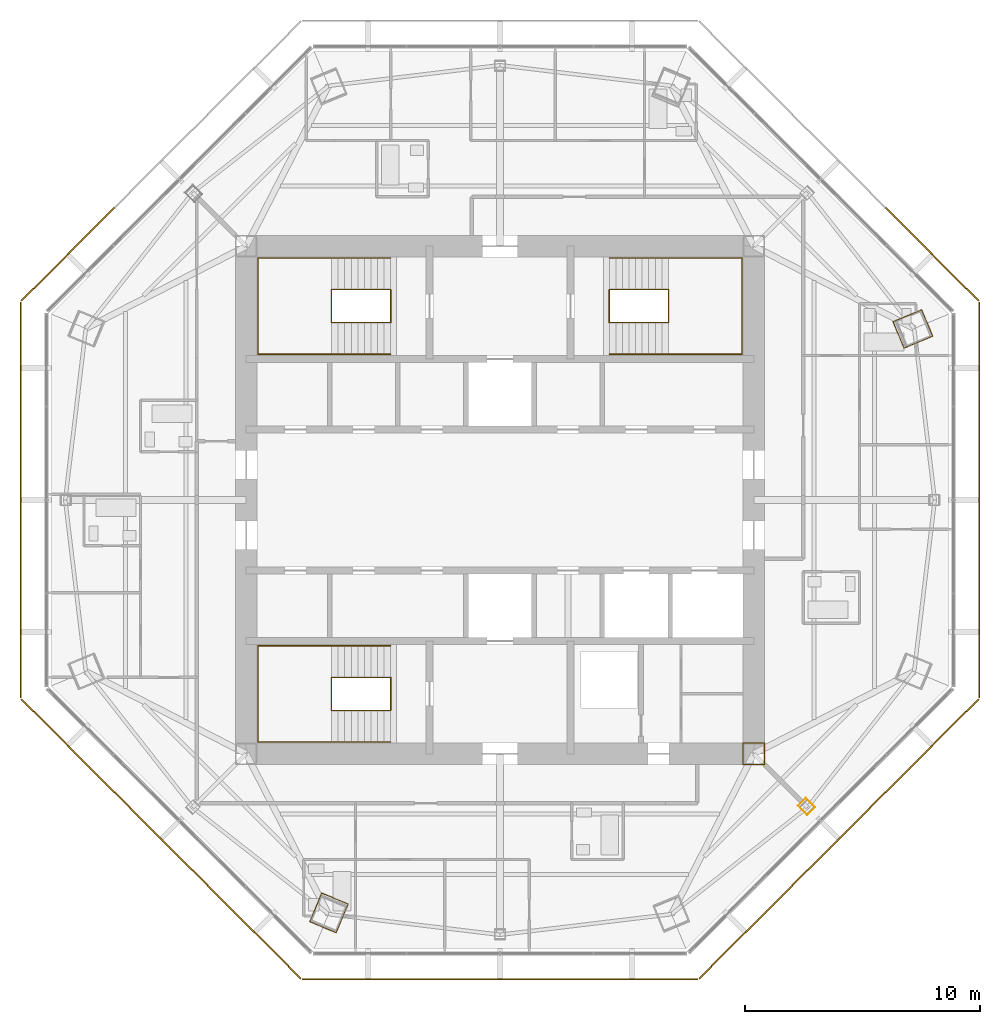
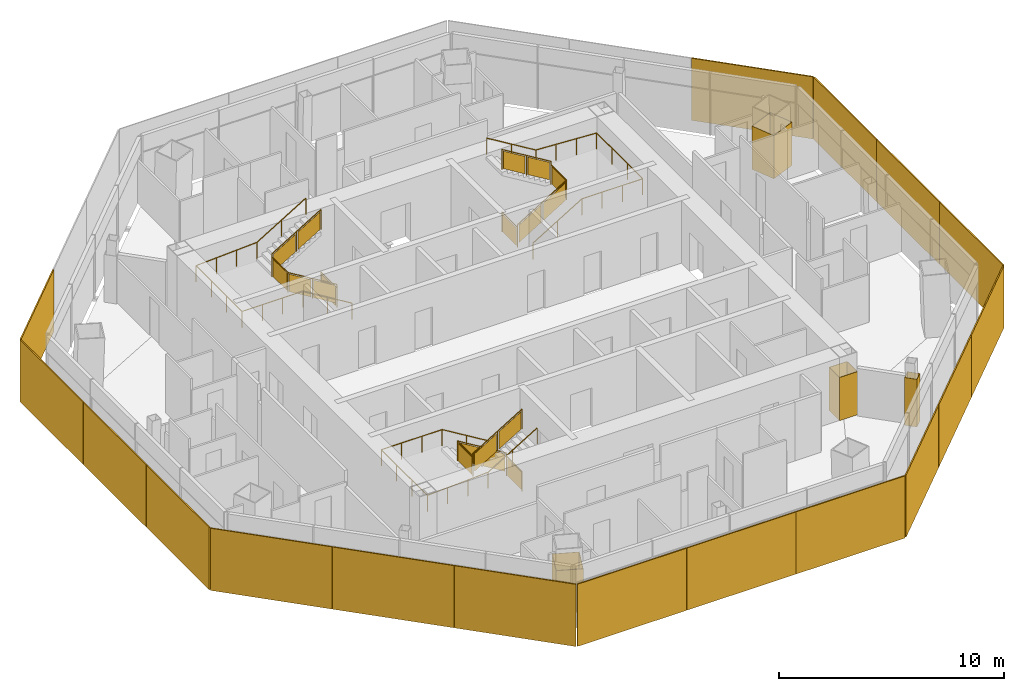
# One storey, part 13 of 15: 17 shading devices, 6 railings, 4 coverings.
"""IFC4 building model written with IfcOpenShell, lengths in metres."""

from ifc_helpers import new_model, si_unit, direction, frame, origin, origin_2d, place, context, subcontext, project, spatial, polyline, rectangle, circle, outline, extrude, source, transform, mapped, material, layer, layer_set, type_object, type_shapes, element, save


model = new_model("IFC4")

# Units and contexts
model_context = context("Model", 3, precision=1e-05, world=origin(), true_north=direction((0.0, 1.0)))
body_context = subcontext(model_context, "Body", "Model", "MODEL_VIEW")
ifc_project = project(units=[si_unit("LENGTHUNIT", "METRE"), si_unit("AREAUNIT", "SQUARE_METRE"), si_unit("VOLUMEUNIT", "CUBIC_METRE"), si_unit("PLANEANGLEUNIT", "RADIAN"), si_unit("MASSUNIT", "GRAM", prefix="KILO")], contexts=[model_context])

# Site, building, storey
site_placement = place(None, origin())
site = spatial("IfcSite", under=ifc_project, at=site_placement, CompositionType="ELEMENT")
building_placement = place(site_placement, origin())
building = spatial("IfcBuilding", under=site, at=building_placement, Name="Mashrafa Tower", CompositionType="ELEMENT")
storey_placement = place(building_placement, frame((0.0, 0.0, 308.199951171875)))
storey = spatial("IfcBuildingStorey", under=building, at=storey_placement, Name="L76", CompositionType="ELEMENT", Elevation=308.199951171875)

# Coverings
ifc_material_1 = material(Name="Gypsum board")
ifc_layer_1 = layer(ifc_material_1, 0.014892578125)
ifc_layer_set_1 = layer_set([ifc_layer_1], Name="Column casing plasterboard 15")
covering_type = type_object("IfcCoveringType", Name="Column casing plasterboard 15", PredefinedType="CLADDING", material=ifc_layer_set_1)
covering_1_placement = place(storey_placement, origin())
element("IfcCovering", 1, at=covering_1_placement, inside=storey, type_object=covering_type, Name="Column casing L76-001", PredefinedType="CLADDING", context=body_context, shape_type="SweptSolid", body=[
    extrude(outline(polyline([(16.718017578125, 7.590576171875), (17.841064453125, 8.0556640625), (17.951171875, 8.101318359375), (18.421875, 6.96484375), (17.298583984375, 6.499755859375), (17.188720703125, 6.4541015625), (16.718017578125, 7.590576171875)]), holes=[polyline([(17.29296875, 6.513671875), (18.402099609375, 6.972900390625), (17.94287109375, 8.081787109375), (17.8466796875, 8.041748046875), (16.737548828125, 7.58251953125), (17.19677734375, 6.4736328125), (17.29296875, 6.513671875)])]), origin(), (0.0, 0.0, 1.0), 2.349365234375),
])
covering_2_placement = place(storey_placement, origin())
element("IfcCovering", 2, at=covering_2_placement, inside=storey, type_object=covering_type, Name="Column casing L76-003", PredefinedType="CLADDING", context=body_context, shape_type="SweptSolid", body=[
    extrude(outline(polyline([(-8.101318359375, -17.951171875), (-8.0556640625, -17.841064453125), (-7.590576171875, -16.718017578125), (-6.4541015625, -17.188720703125), (-6.499755859375, -17.298583984375), (-6.96484375, -18.421875), (-8.101318359375, -17.951171875)]), holes=[polyline([(-6.513671875, -17.29296875), (-6.4736328125, -17.19677734375), (-7.58251953125, -16.737548828125), (-8.041748046875, -17.8466796875), (-8.081787109375, -17.94287109375), (-6.972900390625, -18.402099609375), (-6.513671875, -17.29296875)])]), origin(), (0.0, 0.0, 1.0), 2.349365234375),
])
covering_3_placement = place(storey_placement, origin())
element("IfcCovering", 3, at=covering_3_placement, inside=storey, type_object=covering_type, Name="Column casing L76-005", PredefinedType="CLADDING", context=body_context, shape_type="SweptSolid", body=[
    extrude(outline(polyline([(12.67138671875, -13.0107421875), (13.0107421875, -12.67138671875), (13.418212890625, -13.078857421875), (13.078857421875, -13.418212890625), (12.67138671875, -13.0107421875)]), holes=[polyline([(13.39697265625, -13.078857421875), (13.0107421875, -12.6923828125), (12.6923828125, -13.0107421875), (13.078857421875, -13.39697265625), (13.39697265625, -13.078857421875)])]), origin(), (0.0, 0.0, 1.0), 2.590576171875),
])
covering_4_placement = place(storey_placement, origin())
element("IfcCovering", 4, at=covering_4_placement, inside=storey, type_object=covering_type, Name="Column casing L76-006", PredefinedType="CLADDING", context=body_context, shape_type="SweptSolid", body=[
    extrude(outline(polyline([(10.3349609375, -10.3349609375), (11.264892578125, -10.3349609375), (11.264892578125, -11.264892578125), (10.3349609375, -11.264892578125), (10.3349609375, -10.3349609375)]), holes=[polyline([(11.25, -11.25), (11.25, -10.35009765625), (10.35009765625, -10.35009765625), (10.35009765625, -11.25), (11.25, -11.25)])]), origin(), (0.0, 0.0, 1.0), 2.349365234375),
])

# Railings
ifc_material_2 = material(Name="Steel guard with glass infill", Category="steel")
railing_type_1 = type_object("IfcRailingType", Name="Stair guard 1100", PredefinedType="GUARDRAIL", material=ifc_material_2)
railing_1_placement = place(storey_placement, frame((-4.64990234375, 8.949951171875, 0.0)))
element("IfcRailing", 5, at=railing_1_placement, inside=storey, type_object=railing_type_1, Name="Stair S1 guard L76", PredefinedType="GUARDRAIL", context=body_context, shape_type="SweptSolid", body=[
    extrude(circle(Radius=0.02392578125, at=origin_2d()), frame((0.0, 0.0, 1.076171875), z_axis=(0.0, -1.0, 0.0), x_axis=(1.0, 0.0, 0.0)), (0.0, 0.0, 1.0), 1.39990234375),
    extrude(circle(Radius=0.02392578125, at=origin_2d()), frame((0.0, -1.39990234375, 1.076171875), z_axis=(0.0, 0.0, 1.0), x_axis=(1.0, 0.0, 0.0)), (0.0, 0.0, 1.0), 0.170166015625),
    extrude(circle(Radius=0.02392578125, at=origin_2d()), frame((0.0, -1.39990234375, 1.24609375), z_axis=(-0.854821627497, 0.0, 0.518921945155), x_axis=(0.0, -1.0, 0.0)), (0.0, 0.0, 1.0), 2.947998046875),
    extrude(circle(Radius=0.02392578125, at=origin_2d()), frame((-2.52001953125, -1.39990234375, 2.77587890625), z_axis=(0.0, 1.0, 0.0), x_axis=(-1.0, 0.0, 0.0)), (0.0, 0.0, 1.0), 1.39990234375),
    extrude(circle(Radius=0.02392578125, at=origin_2d()), frame((-2.52001953125, 0.0, 2.77587890625), z_axis=(0.0, 0.0, 1.0), x_axis=(1.0, 0.0, 0.0)), (0.0, 0.0, 1.0), 0.170166015625),
    extrude(circle(Radius=0.02392578125, at=origin_2d()), frame((-2.52001953125, 0.0, 2.9462890625), z_axis=(0.85478489116, 0.0, 0.518982456201), x_axis=(0.0, 1.0, 0.0)), (0.0, 0.0, 1.0), 2.9482421875),
    extrude(circle(Radius=0.02099609375, at=origin_2d()), origin(), (0.0, 0.0, 1.0), 1.052001953125),
    extrude(circle(Radius=0.02099609375, at=origin_2d()), frame((0.0, -1.39990234375, 0.0)), (0.0, 0.0, 1.0), 1.052001953125),
    extrude(circle(Radius=0.02099609375, at=origin_2d()), frame((0.0, -1.39990234375, 0.170166015625)), (0.0, 0.0, 1.0), 1.052001953125),
    extrude(circle(Radius=0.02099609375, at=origin_2d()), frame((-1.260009765625, -1.39990234375, 0.93505859375)), (0.0, 0.0, 1.0), 1.052001953125),
    extrude(circle(Radius=0.02099609375, at=origin_2d()), frame((-2.52001953125, -1.39990234375, 1.699951171875)), (0.0, 0.0, 1.0), 1.052001953125),
    extrude(circle(Radius=0.02099609375, at=origin_2d()), frame((-2.52001953125, 0.0, 1.699951171875)), (0.0, 0.0, 1.0), 1.052001953125),
    extrude(circle(Radius=0.02099609375, at=origin_2d()), frame((-2.52001953125, 0.0, 1.8701171875)), (0.0, 0.0, 1.0), 1.052001953125),
    extrude(circle(Radius=0.02099609375, at=origin_2d()), frame((-1.260009765625, 0.0, 2.63525390625)), (0.0, 0.0, 1.0), 1.052001953125),
    extrude(circle(Radius=0.02099609375, at=origin_2d()), frame((0.0, 0.0, 3.400146484375)), (0.0, 0.0, 1.0), 1.052001953125),
    extrude(outline(polyline([(0.071044921875, 0.050048828125), (1.328857421875, 0.050048828125), (1.328857421875, 1.001953125), (0.071044921875, 1.001953125), (0.071044921875, 0.050048828125)])), frame((-0.006103515625, 0.0, 0.0), z_axis=(-1.0, 0.0, 0.0), x_axis=(0.0, -1.0, 0.0)), (0.0, 0.0, 1.0), 0.011962890625),
    extrude(outline(polyline([(0.071044921875, 0.093017578125), (1.18896484375, 0.771728515625), (1.18896484375, 1.723876953125), (0.071044921875, 1.045166015625), (0.071044921875, 0.093017578125)])), frame((0.0, -1.393798828125, 0.170166015625), z_axis=(0.0, 1.0, 0.0), x_axis=(-1.0, 0.0, 0.0)), (0.0, 0.0, 1.0), 0.011962890625),
    extrude(outline(polyline([(1.3310546875, 0.85791015625), (2.448974609375, 1.53662109375), (2.448974609375, 2.48876953125), (1.3310546875, 1.81005859375), (1.3310546875, 0.85791015625)])), frame((0.0, -1.393798828125, 0.170166015625), z_axis=(0.0, 1.0, 0.0), x_axis=(-1.0, 0.0, 0.0)), (0.0, 0.0, 1.0), 0.011962890625),
    extrude(outline(polyline([(0.071044921875, 0.050048828125), (1.328857421875, 0.050048828125), (1.328857421875, 1.001953125), (0.071044921875, 1.001953125), (0.071044921875, 0.050048828125)])), frame((-2.513916015625, -1.39990234375, 1.699951171875), z_axis=(1.0, 0.0, 0.0), x_axis=(0.0, 1.0, 0.0)), (0.0, 0.0, 1.0), 0.011962890625),
    extrude(outline(polyline([(0.071044921875, 0.093017578125), (1.18896484375, 0.77197265625), (1.18896484375, 1.723876953125), (0.071044921875, 1.045166015625), (0.071044921875, 0.093017578125)])), frame((-2.52001953125, -0.006103515625, 1.8701171875), z_axis=(0.0, -1.0, 0.0), x_axis=(1.0, 0.0, 0.0)), (0.0, 0.0, 1.0), 0.011962890625),
    extrude(outline(polyline([(1.3310546875, 0.858154296875), (2.448974609375, 1.536865234375), (2.448974609375, 2.489013671875), (1.3310546875, 1.81005859375), (1.3310546875, 0.858154296875)])), frame((-2.52001953125, -0.006103515625, 1.8701171875), z_axis=(0.0, -1.0, 0.0), x_axis=(1.0, 0.0, 0.0)), (0.0, 0.0, 1.0), 0.011962890625),
])
railing_2_placement = place(storey_placement, frame((4.64990234375, 8.949951171875, 0.0)))
element("IfcRailing", 6, at=railing_2_placement, inside=storey, type_object=railing_type_1, Name="Stair S2 guard L76", PredefinedType="GUARDRAIL", context=body_context, shape_type="SweptSolid", body=[
    extrude(circle(Radius=0.02392578125, at=origin_2d()), frame((0.0, 0.0, 1.076171875), z_axis=(0.0, -1.0, 0.0), x_axis=(1.0, 0.0, 0.0)), (0.0, 0.0, 1.0), 1.39990234375),
    extrude(circle(Radius=0.02392578125, at=origin_2d()), frame((0.0, -1.39990234375, 1.076171875), z_axis=(0.0, 0.0, 1.0), x_axis=(1.0, 0.0, 0.0)), (0.0, 0.0, 1.0), 0.170166015625),
    extrude(circle(Radius=0.02392578125, at=origin_2d()), frame((0.0, -1.39990234375, 1.24609375), z_axis=(0.854821627497, 0.0, 0.518921945155), x_axis=(0.0, 1.0, 0.0)), (0.0, 0.0, 1.0), 2.947998046875),
    extrude(circle(Radius=0.02392578125, at=origin_2d()), frame((2.52001953125, -1.39990234375, 2.77587890625), z_axis=(0.0, 1.0, 0.0), x_axis=(-1.0, 0.0, 0.0)), (0.0, 0.0, 1.0), 1.39990234375),
    extrude(circle(Radius=0.02392578125, at=origin_2d()), frame((2.52001953125, 0.0, 2.77587890625), z_axis=(0.0, 0.0, 1.0), x_axis=(1.0, 0.0, 0.0)), (0.0, 0.0, 1.0), 0.170166015625),
    extrude(circle(Radius=0.02392578125, at=origin_2d()), frame((2.52001953125, 0.0, 2.9462890625), z_axis=(-0.85478489116, 0.0, 0.518982456201), x_axis=(0.0, -1.0, 0.0)), (0.0, 0.0, 1.0), 2.9482421875),
    extrude(circle(Radius=0.02099609375, at=origin_2d()), origin(), (0.0, 0.0, 1.0), 1.052001953125),
    extrude(circle(Radius=0.02099609375, at=origin_2d()), frame((0.0, -1.39990234375, 0.0)), (0.0, 0.0, 1.0), 1.052001953125),
    extrude(circle(Radius=0.02099609375, at=origin_2d()), frame((0.0, -1.39990234375, 0.170166015625)), (0.0, 0.0, 1.0), 1.052001953125),
    extrude(circle(Radius=0.02099609375, at=origin_2d()), frame((1.260009765625, -1.39990234375, 0.93505859375)), (0.0, 0.0, 1.0), 1.052001953125),
    extrude(circle(Radius=0.02099609375, at=origin_2d()), frame((2.52001953125, -1.39990234375, 1.699951171875)), (0.0, 0.0, 1.0), 1.052001953125),
    extrude(circle(Radius=0.02099609375, at=origin_2d()), frame((2.52001953125, 0.0, 1.699951171875)), (0.0, 0.0, 1.0), 1.052001953125),
    extrude(circle(Radius=0.02099609375, at=origin_2d()), frame((2.52001953125, 0.0, 1.8701171875)), (0.0, 0.0, 1.0), 1.052001953125),
    extrude(circle(Radius=0.02099609375, at=origin_2d()), frame((1.260009765625, 0.0, 2.63525390625)), (0.0, 0.0, 1.0), 1.052001953125),
    extrude(circle(Radius=0.02099609375, at=origin_2d()), frame((0.0, 0.0, 3.400146484375)), (0.0, 0.0, 1.0), 1.052001953125),
    extrude(outline(polyline([(0.071044921875, 0.050048828125), (1.328857421875, 0.050048828125), (1.328857421875, 1.001953125), (0.071044921875, 1.001953125), (0.071044921875, 0.050048828125)])), frame((-0.006103515625, 0.0, 0.0), z_axis=(-1.0, 0.0, 0.0), x_axis=(0.0, -1.0, 0.0)), (0.0, 0.0, 1.0), 0.011962890625),
    extrude(outline(polyline([(0.071044921875, 0.093017578125), (1.18896484375, 0.771728515625), (1.18896484375, 1.723876953125), (0.071044921875, 1.045166015625), (0.071044921875, 0.093017578125)])), frame((0.0, -1.406005859375, 0.170166015625), z_axis=(0.0, -1.0, 0.0), x_axis=(1.0, 0.0, 0.0)), (0.0, 0.0, 1.0), 0.011962890625),
    extrude(outline(polyline([(1.3310546875, 0.85791015625), (2.448974609375, 1.53662109375), (2.448974609375, 2.48876953125), (1.3310546875, 1.81005859375), (1.3310546875, 0.85791015625)])), frame((0.0, -1.406005859375, 0.170166015625), z_axis=(0.0, -1.0, 0.0), x_axis=(1.0, 0.0, 0.0)), (0.0, 0.0, 1.0), 0.011962890625),
    extrude(outline(polyline([(0.071044921875, 0.050048828125), (1.328857421875, 0.050048828125), (1.328857421875, 1.001953125), (0.071044921875, 1.001953125), (0.071044921875, 0.050048828125)])), frame((2.526123046875, -1.39990234375, 1.699951171875), z_axis=(1.0, 0.0, 0.0), x_axis=(0.0, 1.0, 0.0)), (0.0, 0.0, 1.0), 0.011962890625),
    extrude(outline(polyline([(0.071044921875, 0.093017578125), (1.18896484375, 0.77197265625), (1.18896484375, 1.723876953125), (0.071044921875, 1.045166015625), (0.071044921875, 0.093017578125)])), frame((2.52001953125, 0.006103515625, 1.8701171875), z_axis=(0.0, 1.0, 0.0), x_axis=(-1.0, 0.0, 0.0)), (0.0, 0.0, 1.0), 0.011962890625),
    extrude(outline(polyline([(1.3310546875, 0.858154296875), (2.448974609375, 1.536865234375), (2.448974609375, 2.489013671875), (1.3310546875, 1.81005859375), (1.3310546875, 0.858154296875)])), frame((2.52001953125, 0.006103515625, 1.8701171875), z_axis=(0.0, 1.0, 0.0), x_axis=(-1.0, 0.0, 0.0)), (0.0, 0.0, 1.0), 0.011962890625),
])
railing_3_placement = place(storey_placement, frame((-4.64990234375, -8.949951171875, 0.0)))
element("IfcRailing", 7, at=railing_3_placement, inside=storey, type_object=railing_type_1, Name="Stair S3 guard L76", PredefinedType="GUARDRAIL", context=body_context, shape_type="SweptSolid", body=[
    extrude(circle(Radius=0.02392578125, at=origin_2d()), frame((0.0, 0.0, 1.076171875), z_axis=(0.0, 1.0, 0.0), x_axis=(-1.0, 0.0, 0.0)), (0.0, 0.0, 1.0), 1.39990234375),
    extrude(circle(Radius=0.02392578125, at=origin_2d()), frame((0.0, 1.39990234375, 1.076171875), z_axis=(0.0, 0.0, 1.0), x_axis=(1.0, 0.0, 0.0)), (0.0, 0.0, 1.0), 0.170166015625),
    extrude(circle(Radius=0.02392578125, at=origin_2d()), frame((0.0, 1.39990234375, 1.24609375), z_axis=(-0.854821627497, 0.0, 0.518921945155), x_axis=(0.0, -1.0, 0.0)), (0.0, 0.0, 1.0), 2.947998046875),
    extrude(circle(Radius=0.02392578125, at=origin_2d()), frame((-2.52001953125, 1.39990234375, 2.77587890625), z_axis=(0.0, -1.0, 0.0), x_axis=(1.0, 0.0, 0.0)), (0.0, 0.0, 1.0), 1.39990234375),
    extrude(circle(Radius=0.02392578125, at=origin_2d()), frame((-2.52001953125, 0.0, 2.77587890625), z_axis=(0.0, 0.0, 1.0), x_axis=(1.0, 0.0, 0.0)), (0.0, 0.0, 1.0), 0.170166015625),
    extrude(circle(Radius=0.02392578125, at=origin_2d()), frame((-2.52001953125, 0.0, 2.9462890625), z_axis=(0.85478489116, 0.0, 0.518982456201), x_axis=(0.0, 1.0, 0.0)), (0.0, 0.0, 1.0), 2.9482421875),
    extrude(circle(Radius=0.02099609375, at=origin_2d()), origin(), (0.0, 0.0, 1.0), 1.052001953125),
    extrude(circle(Radius=0.02099609375, at=origin_2d()), frame((0.0, 1.39990234375, 0.0)), (0.0, 0.0, 1.0), 1.052001953125),
    extrude(circle(Radius=0.02099609375, at=origin_2d()), frame((0.0, 1.39990234375, 0.170166015625)), (0.0, 0.0, 1.0), 1.052001953125),
    extrude(circle(Radius=0.02099609375, at=origin_2d()), frame((-1.260009765625, 1.39990234375, 0.93505859375)), (0.0, 0.0, 1.0), 1.052001953125),
    extrude(circle(Radius=0.02099609375, at=origin_2d()), frame((-2.52001953125, 1.39990234375, 1.699951171875)), (0.0, 0.0, 1.0), 1.052001953125),
    extrude(circle(Radius=0.02099609375, at=origin_2d()), frame((-2.52001953125, 0.0, 1.699951171875)), (0.0, 0.0, 1.0), 1.052001953125),
    extrude(circle(Radius=0.02099609375, at=origin_2d()), frame((-2.52001953125, 0.0, 1.8701171875)), (0.0, 0.0, 1.0), 1.052001953125),
    extrude(circle(Radius=0.02099609375, at=origin_2d()), frame((-1.260009765625, 0.0, 2.63525390625)), (0.0, 0.0, 1.0), 1.052001953125),
    extrude(circle(Radius=0.02099609375, at=origin_2d()), frame((0.0, 0.0, 3.400146484375)), (0.0, 0.0, 1.0), 1.052001953125),
    extrude(outline(polyline([(0.071044921875, 0.050048828125), (1.328857421875, 0.050048828125), (1.328857421875, 1.001953125), (0.071044921875, 1.001953125), (0.071044921875, 0.050048828125)])), frame((0.006103515625, 0.0, 0.0), z_axis=(1.0, 0.0, 0.0), x_axis=(0.0, 1.0, 0.0)), (0.0, 0.0, 1.0), 0.011962890625),
    extrude(outline(polyline([(0.071044921875, 0.093017578125), (1.18896484375, 0.771728515625), (1.18896484375, 1.723876953125), (0.071044921875, 1.045166015625), (0.071044921875, 0.093017578125)])), frame((0.0, 1.406005859375, 0.170166015625), z_axis=(0.0, 1.0, 0.0), x_axis=(-1.0, 0.0, 0.0)), (0.0, 0.0, 1.0), 0.011962890625),
    extrude(outline(polyline([(1.3310546875, 0.85791015625), (2.448974609375, 1.53662109375), (2.448974609375, 2.48876953125), (1.3310546875, 1.81005859375), (1.3310546875, 0.85791015625)])), frame((0.0, 1.406005859375, 0.170166015625), z_axis=(0.0, 1.0, 0.0), x_axis=(-1.0, 0.0, 0.0)), (0.0, 0.0, 1.0), 0.011962890625),
    extrude(outline(polyline([(0.071044921875, 0.050048828125), (1.328857421875, 0.050048828125), (1.328857421875, 1.001953125), (0.071044921875, 1.001953125), (0.071044921875, 0.050048828125)])), frame((-2.526123046875, 1.39990234375, 1.699951171875), z_axis=(-1.0, 0.0, 0.0), x_axis=(0.0, -1.0, 0.0)), (0.0, 0.0, 1.0), 0.011962890625),
    extrude(outline(polyline([(0.071044921875, 0.093017578125), (1.18896484375, 0.77197265625), (1.18896484375, 1.723876953125), (0.071044921875, 1.045166015625), (0.071044921875, 0.093017578125)])), frame((-2.52001953125, -0.006103515625, 1.8701171875), z_axis=(0.0, -1.0, 0.0), x_axis=(1.0, 0.0, 0.0)), (0.0, 0.0, 1.0), 0.011962890625),
    extrude(outline(polyline([(1.3310546875, 0.858154296875), (2.448974609375, 1.536865234375), (2.448974609375, 2.489013671875), (1.3310546875, 1.81005859375), (1.3310546875, 0.858154296875)])), frame((-2.52001953125, -0.006103515625, 1.8701171875), z_axis=(0.0, -1.0, 0.0), x_axis=(1.0, 0.0, 0.0)), (0.0, 0.0, 1.0), 0.011962890625),
])
ifc_material_3 = material(Name="Steel", Category="steel")
railing_type_2 = type_object("IfcRailingType", Name="Stair handrail 900", PredefinedType="HANDRAIL", material=ifc_material_3)
railing_4_placement = place(storey_placement, frame((-4.64990234375, 6.199951171875, 0.170166015625)))
element("IfcRailing", 8, at=railing_4_placement, inside=storey, type_object=railing_type_2, Name="Stair S1 handrail L76", PredefinedType="HANDRAIL", context=body_context, shape_type="SweptSolid", body=[
    extrude(circle(Radius=0.02392578125, at=origin_2d()), frame((0.0, 0.0, 0.8759765625), z_axis=(-0.854821627497, 0.0, 0.518921945155), x_axis=(0.0, -1.0, 0.0)), (0.0, 0.0, 1.0), 2.947998046875),
    extrude(circle(Radius=0.02392578125, at=origin_2d()), frame((-2.52001953125, 0.0, 2.40576171875), z_axis=(-1.0, 0.0, 0.0), x_axis=(0.0, -1.0, 0.0)), (0.0, 0.0, 1.0), 3.130126953125),
    extrude(circle(Radius=0.02392578125, at=origin_2d()), frame((-5.650146484375, 0.0, 2.40576171875), z_axis=(0.0, 1.0, 0.0), x_axis=(-1.0, 0.0, 0.0)), (0.0, 0.0, 1.0), 4.10009765625),
    extrude(circle(Radius=0.02392578125, at=origin_2d()), frame((-5.650146484375, 4.10009765625, 2.40576171875), z_axis=(0.998525548763, 0.0, 0.054283777201), x_axis=(0.0, 1.0, 0.0)), (0.0, 0.0, 1.0), 3.134765625),
    extrude(circle(Radius=0.02392578125, at=origin_2d()), frame((-2.52001953125, 4.10009765625, 2.57568359375), z_axis=(0.85478489116, 0.0, 0.518982456201), x_axis=(0.0, 1.0, 0.0)), (0.0, 0.0, 1.0), 2.9482421875),
    extrude(circle(Radius=0.02099609375, at=origin_2d()), origin(), (0.0, 0.0, 1.0), 0.851806640625),
    extrude(circle(Radius=0.02099609375, at=origin_2d()), frame((-1.260009765625, 0.0, 0.764892578125)), (0.0, 0.0, 1.0), 0.851806640625),
    extrude(circle(Radius=0.02099609375, at=origin_2d()), frame((-2.52001953125, 0.0, 1.52978515625)), (0.0, 0.0, 1.0), 0.851806640625),
    extrude(circle(Radius=0.02099609375, at=origin_2d()), frame((-3.5634765625, 0.0, 1.52978515625)), (0.0, 0.0, 1.0), 0.851806640625),
    extrude(circle(Radius=0.02099609375, at=origin_2d()), frame((-4.606689453125, 0.0, 1.52978515625)), (0.0, 0.0, 1.0), 0.851806640625),
    extrude(circle(Radius=0.02099609375, at=origin_2d()), frame((-5.650146484375, 0.0, 1.52978515625)), (0.0, 0.0, 1.0), 0.851806640625),
    extrude(circle(Radius=0.02099609375, at=origin_2d()), frame((-5.650146484375, 1.36669921875, 1.52978515625)), (0.0, 0.0, 1.0), 0.851806640625),
    extrude(circle(Radius=0.02099609375, at=origin_2d()), frame((-5.650146484375, 2.7333984375, 1.52978515625)), (0.0, 0.0, 1.0), 0.851806640625),
    extrude(circle(Radius=0.02099609375, at=origin_2d()), frame((-5.650146484375, 4.10009765625, 1.52978515625)), (0.0, 0.0, 1.0), 0.851806640625),
    extrude(circle(Radius=0.02099609375, at=origin_2d()), frame((-4.606689453125, 4.10009765625, 1.58642578125)), (0.0, 0.0, 1.0), 0.851806640625),
    extrude(circle(Radius=0.02099609375, at=origin_2d()), frame((-3.5634765625, 4.10009765625, 1.643310546875)), (0.0, 0.0, 1.0), 0.851806640625),
    extrude(circle(Radius=0.02099609375, at=origin_2d()), frame((-2.52001953125, 4.10009765625, 1.699951171875)), (0.0, 0.0, 1.0), 0.851806640625),
    extrude(circle(Radius=0.02099609375, at=origin_2d()), frame((-1.260009765625, 4.10009765625, 2.46484375)), (0.0, 0.0, 1.0), 0.851806640625),
    extrude(circle(Radius=0.02099609375, at=origin_2d()), frame((0.0, 4.10009765625, 3.22998046875)), (0.0, 0.0, 1.0), 0.851806640625),
])
railing_5_placement = place(storey_placement, frame((4.64990234375, 6.199951171875, 0.170166015625)))
element("IfcRailing", 9, at=railing_5_placement, inside=storey, type_object=railing_type_2, Name="Stair S2 handrail L76", PredefinedType="HANDRAIL", context=body_context, shape_type="SweptSolid", body=[
    extrude(circle(Radius=0.02392578125, at=origin_2d()), frame((0.0, 0.0, 0.8759765625), z_axis=(0.854821627497, 0.0, 0.518921945155), x_axis=(0.0, 1.0, 0.0)), (0.0, 0.0, 1.0), 2.947998046875),
    extrude(circle(Radius=0.02392578125, at=origin_2d()), frame((2.52001953125, 0.0, 2.40576171875), z_axis=(1.0, 0.0, 0.0), x_axis=(0.0, 1.0, 0.0)), (0.0, 0.0, 1.0), 3.130126953125),
    extrude(circle(Radius=0.02392578125, at=origin_2d()), frame((5.650146484375, 0.0, 2.40576171875), z_axis=(0.0, 1.0, 0.0), x_axis=(-1.0, 0.0, 0.0)), (0.0, 0.0, 1.0), 4.10009765625),
    extrude(circle(Radius=0.02392578125, at=origin_2d()), frame((5.650146484375, 4.10009765625, 2.40576171875), z_axis=(-0.998525548763, 0.0, 0.054283777201), x_axis=(0.0, -1.0, 0.0)), (0.0, 0.0, 1.0), 3.134765625),
    extrude(circle(Radius=0.02392578125, at=origin_2d()), frame((2.52001953125, 4.10009765625, 2.57568359375), z_axis=(-0.85478489116, 0.0, 0.518982456201), x_axis=(0.0, -1.0, 0.0)), (0.0, 0.0, 1.0), 2.9482421875),
    extrude(circle(Radius=0.02099609375, at=origin_2d()), origin(), (0.0, 0.0, 1.0), 0.851806640625),
    extrude(circle(Radius=0.02099609375, at=origin_2d()), frame((1.260009765625, 0.0, 0.764892578125)), (0.0, 0.0, 1.0), 0.851806640625),
    extrude(circle(Radius=0.02099609375, at=origin_2d()), frame((2.52001953125, 0.0, 1.52978515625)), (0.0, 0.0, 1.0), 0.851806640625),
    extrude(circle(Radius=0.02099609375, at=origin_2d()), frame((3.5634765625, 0.0, 1.52978515625)), (0.0, 0.0, 1.0), 0.851806640625),
    extrude(circle(Radius=0.02099609375, at=origin_2d()), frame((4.606689453125, 0.0, 1.52978515625)), (0.0, 0.0, 1.0), 0.851806640625),
    extrude(circle(Radius=0.02099609375, at=origin_2d()), frame((5.650146484375, 0.0, 1.52978515625)), (0.0, 0.0, 1.0), 0.851806640625),
    extrude(circle(Radius=0.02099609375, at=origin_2d()), frame((5.650146484375, 1.36669921875, 1.52978515625)), (0.0, 0.0, 1.0), 0.851806640625),
    extrude(circle(Radius=0.02099609375, at=origin_2d()), frame((5.650146484375, 2.7333984375, 1.52978515625)), (0.0, 0.0, 1.0), 0.851806640625),
    extrude(circle(Radius=0.02099609375, at=origin_2d()), frame((5.650146484375, 4.10009765625, 1.52978515625)), (0.0, 0.0, 1.0), 0.851806640625),
    extrude(circle(Radius=0.02099609375, at=origin_2d()), frame((4.606689453125, 4.10009765625, 1.58642578125)), (0.0, 0.0, 1.0), 0.851806640625),
    extrude(circle(Radius=0.02099609375, at=origin_2d()), frame((3.5634765625, 4.10009765625, 1.643310546875)), (0.0, 0.0, 1.0), 0.851806640625),
    extrude(circle(Radius=0.02099609375, at=origin_2d()), frame((2.52001953125, 4.10009765625, 1.699951171875)), (0.0, 0.0, 1.0), 0.851806640625),
    extrude(circle(Radius=0.02099609375, at=origin_2d()), frame((1.260009765625, 4.10009765625, 2.46484375)), (0.0, 0.0, 1.0), 0.851806640625),
    extrude(circle(Radius=0.02099609375, at=origin_2d()), frame((0.0, 4.10009765625, 3.22998046875)), (0.0, 0.0, 1.0), 0.851806640625),
])
railing_6_placement = place(storey_placement, frame((-4.64990234375, -6.199951171875, 0.170166015625)))
element("IfcRailing", 10, at=railing_6_placement, inside=storey, type_object=railing_type_2, Name="Stair S3 handrail L76", PredefinedType="HANDRAIL", context=body_context, shape_type="SweptSolid", body=[
    extrude(circle(Radius=0.02392578125, at=origin_2d()), frame((0.0, 0.0, 0.8759765625), z_axis=(-0.854821627497, 0.0, 0.518921945155), x_axis=(0.0, -1.0, 0.0)), (0.0, 0.0, 1.0), 2.947998046875),
    extrude(circle(Radius=0.02392578125, at=origin_2d()), frame((-2.52001953125, 0.0, 2.40576171875), z_axis=(-1.0, 0.0, 0.0), x_axis=(0.0, -1.0, 0.0)), (0.0, 0.0, 1.0), 3.130126953125),
    extrude(circle(Radius=0.02392578125, at=origin_2d()), frame((-5.650146484375, 0.0, 2.40576171875), z_axis=(0.0, -1.0, 0.0), x_axis=(1.0, 0.0, 0.0)), (0.0, 0.0, 1.0), 4.10009765625),
    extrude(circle(Radius=0.02392578125, at=origin_2d()), frame((-5.650146484375, -4.10009765625, 2.40576171875), z_axis=(0.998525548763, 0.0, 0.054283777201), x_axis=(0.0, 1.0, 0.0)), (0.0, 0.0, 1.0), 3.134765625),
    extrude(circle(Radius=0.02392578125, at=origin_2d()), frame((-2.52001953125, -4.10009765625, 2.57568359375), z_axis=(0.85478489116, 0.0, 0.518982456201), x_axis=(0.0, 1.0, 0.0)), (0.0, 0.0, 1.0), 2.9482421875),
    extrude(circle(Radius=0.02099609375, at=origin_2d()), origin(), (0.0, 0.0, 1.0), 0.851806640625),
    extrude(circle(Radius=0.02099609375, at=origin_2d()), frame((-1.260009765625, 0.0, 0.764892578125)), (0.0, 0.0, 1.0), 0.851806640625),
    extrude(circle(Radius=0.02099609375, at=origin_2d()), frame((-2.52001953125, 0.0, 1.52978515625)), (0.0, 0.0, 1.0), 0.851806640625),
    extrude(circle(Radius=0.02099609375, at=origin_2d()), frame((-3.5634765625, 0.0, 1.52978515625)), (0.0, 0.0, 1.0), 0.851806640625),
    extrude(circle(Radius=0.02099609375, at=origin_2d()), frame((-4.606689453125, 0.0, 1.52978515625)), (0.0, 0.0, 1.0), 0.851806640625),
    extrude(circle(Radius=0.02099609375, at=origin_2d()), frame((-5.650146484375, 0.0, 1.52978515625)), (0.0, 0.0, 1.0), 0.851806640625),
    extrude(circle(Radius=0.02099609375, at=origin_2d()), frame((-5.650146484375, -1.36669921875, 1.52978515625)), (0.0, 0.0, 1.0), 0.851806640625),
    extrude(circle(Radius=0.02099609375, at=origin_2d()), frame((-5.650146484375, -2.7333984375, 1.52978515625)), (0.0, 0.0, 1.0), 0.851806640625),
    extrude(circle(Radius=0.02099609375, at=origin_2d()), frame((-5.650146484375, -4.10009765625, 1.52978515625)), (0.0, 0.0, 1.0), 0.851806640625),
    extrude(circle(Radius=0.02099609375, at=origin_2d()), frame((-4.606689453125, -4.10009765625, 1.58642578125)), (0.0, 0.0, 1.0), 0.851806640625),
    extrude(circle(Radius=0.02099609375, at=origin_2d()), frame((-3.5634765625, -4.10009765625, 1.643310546875)), (0.0, 0.0, 1.0), 0.851806640625),
    extrude(circle(Radius=0.02099609375, at=origin_2d()), frame((-2.52001953125, -4.10009765625, 1.699951171875)), (0.0, 0.0, 1.0), 0.851806640625),
    extrude(circle(Radius=0.02099609375, at=origin_2d()), frame((-1.260009765625, -4.10009765625, 2.46484375)), (0.0, 0.0, 1.0), 0.851806640625),
    extrude(circle(Radius=0.02099609375, at=origin_2d()), frame((0.0, -4.10009765625, 3.22998046875)), (0.0, 0.0, 1.0), 0.851806640625),
])

# Shading devices
ifc_material_4 = material(Name="Perforated aluminium plate, eight-point star pattern", Category="aluminium")
ifc_layer_2 = layer(ifc_material_4, 0.06005859375)
ifc_layer_set_2 = layer_set([ifc_layer_2], Name="Mashrabiya screen panel apartment zone 4, 22 percent open")
shading_device_type = type_object("IfcShadingDeviceType", Name="Mashrabiya screen panel apartment zone 4, 22 percent open", PredefinedType="SHUTTER", material=ifc_layer_set_2)
shared_shape = source(origin(), body_context, "Body", "SweptSolid", [
    extrude(rectangle(XDim=5.597412109375, YDim=0.06005859375, at=origin_2d()), origin(), (0.0, 0.0, 1.0), 3.3798828125),
])
type_shapes(shading_device_type, [shared_shape])
for number, where, z_axis, x_axis, name in (
    (11, (20.396240234375, -5.6171875, -0.14990234375), (0.0, 0.0, 1.0), (0.0, 1.0, 0.0), "Mashrabiya screen L76 east 1"),
    (12, (20.396240234375, 0.0, -0.14990234375), (0.0, 0.0, 1.0), (0.0, 1.0, 0.0), "Mashrabiya screen L76 east 2"),
    (13, (20.396240234375, 5.6171875, -0.14990234375), (0.0, 0.0, 1.0), (0.0, 1.0, 0.0), "Mashrabiya screen L76 east 3"),
    (14, (18.394287109375, 10.4501953125, -0.14990234375), (0.0, 0.0, 1.0), (-0.707106781187, 0.707106781187, 0.0), "Mashrabiya screen L76 north-east 1"),
    (15, (-18.394287109375, 10.4501953125, -0.14990234375), (0.0, 0.0, 1.0), (-0.707106781187, -0.707106781187, 0.0), "Mashrabiya screen L76 north-west 3"),
    (16, (-20.396240234375, 5.6171875, -0.14990234375), (0.0, 0.0, 1.0), (0.0, -1.0, 0.0), "Mashrabiya screen L76 west 1"),
    (17, (-20.396240234375, 0.0, -0.14990234375), (0.0, 0.0, 1.0), (0.0, -1.0, 0.0), "Mashrabiya screen L76 west 2"),
    (18, (-20.396240234375, -5.6171875, -0.14990234375), (0.0, 0.0, 1.0), (0.0, -1.0, 0.0), "Mashrabiya screen L76 west 3"),
    (19, (-18.394287109375, -10.4501953125, -0.14990234375), (0.0, 0.0, 1.0), (0.707106781187, -0.707106781187, 0.0), "Mashrabiya screen L76 south-west 1"),
    (20, (-14.42236328125, -14.42236328125, -0.14990234375), (0.0, 0.0, 1.0), (0.707106781187, -0.707106781187, 0.0), "Mashrabiya screen L76 south-west 2"),
    (21, (-10.4501953125, -18.394287109375, -0.14990234375), (0.0, 0.0, 1.0), (0.707106781187, -0.707106781187, 0.0), "Mashrabiya screen L76 south-west 3"),
    (22, (-5.6171875, -20.396240234375, -0.14990234375), (0.0, 0.0, 1.0), (1.0, 0.0, 0.0), "Mashrabiya screen L76 south 1"),
    (23, (0.0, -20.396240234375, -0.14990234375), (0.0, 0.0, 1.0), (1.0, 0.0, 0.0), "Mashrabiya screen L76 south 2"),
    (24, (5.6171875, -20.396240234375, -0.14990234375), (0.0, 0.0, 1.0), (1.0, 0.0, 0.0), "Mashrabiya screen L76 south 3"),
    (25, (10.4501953125, -18.394287109375, -0.14990234375), (0.0, 0.0, 1.0), (0.707106781187, 0.707106781187, 0.0), "Mashrabiya screen L76 south-east 1"),
    (26, (14.42236328125, -14.42236328125, -0.14990234375), (0.0, 0.0, 1.0), (0.707106781187, 0.707106781187, 0.0), "Mashrabiya screen L76 south-east 2"),
    (27, (18.394287109375, -10.4501953125, -0.14990234375), (0.0, 0.0, 1.0), (0.707106781187, 0.707106781187, 0.0), "Mashrabiya screen L76 south-east 3"),
):
    element("IfcShadingDevice", number, at=place(storey_placement, frame(where, z_axis=z_axis, x_axis=x_axis)), inside=storey, type_object=shading_device_type, Name=name, PredefinedType="SHUTTER", context=body_context, shape_type="MappedRepresentation", body=[
        mapped(shared_shape, transform((0.0, 0.0, 0.0))),
    ])

save(model, "model.ifc")
